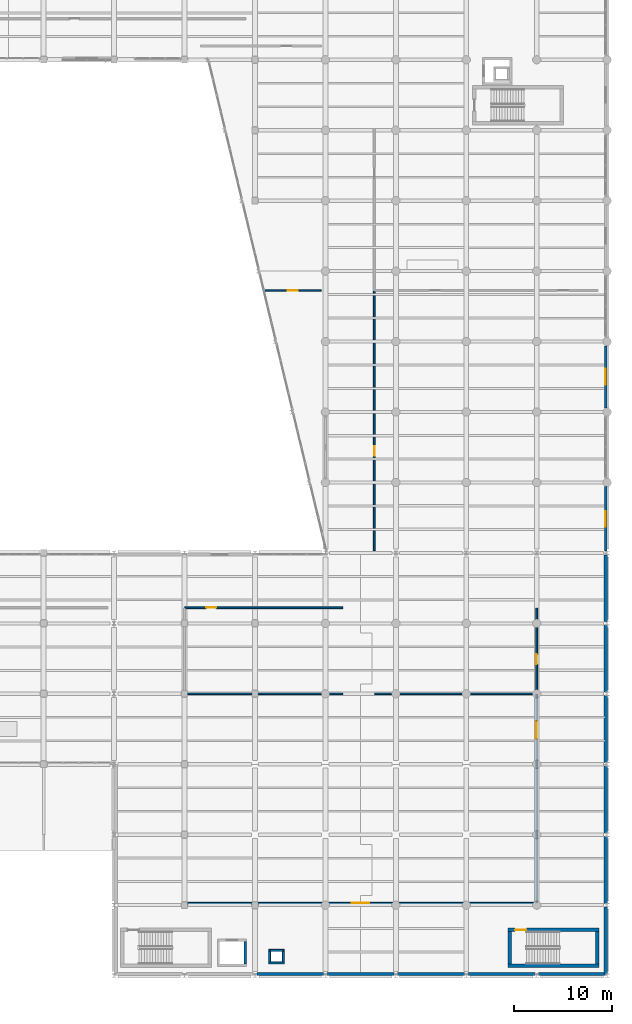
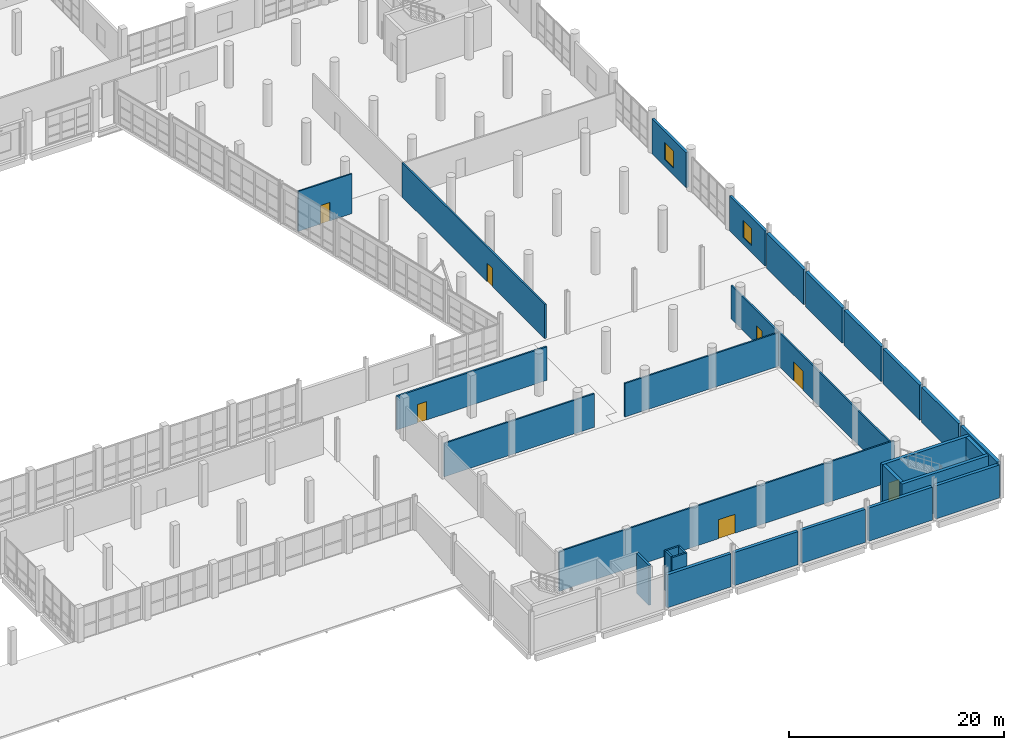
# One storey, part 100 of 127: 30 walls, 7 doors, 2 windows, 9 openings.
"""IFC4 building model written with IfcOpenShell, lengths in metres."""

from ifc_helpers import new_model, si_unit, direction, frame, frame_2d, origin, place, context, subcontext, project, spatial, rectangle, extrude, material, layer, layer_set, type_object, element, fill, save


model = new_model("IFC4")

# Units and contexts
model_context = context("Model", 3, precision=1e-05, world=origin(), true_north=direction((0.0, 1.0)))
body_context = subcontext(model_context, "Body", "Model", "MODEL_VIEW")
ifc_project = project(units=[si_unit("LENGTHUNIT", "METRE"), si_unit("AREAUNIT", "SQUARE_METRE"), si_unit("VOLUMEUNIT", "CUBIC_METRE"), si_unit("PLANEANGLEUNIT", "RADIAN"), si_unit("MASSUNIT", "GRAM", prefix="KILO")], contexts=[model_context])

# Site, building, storey
site_placement = place(None, origin())
site = spatial("IfcSite", under=ifc_project, at=site_placement, CompositionType="ELEMENT")
building_placement = place(site_placement, origin())
building = spatial("IfcBuilding", under=site, at=building_placement, Name="Kalmorath City Hall", CompositionType="ELEMENT")
storey_placement = place(building_placement, frame((0.0, 0.0, 5.39990234375)))
storey = spatial("IfcBuildingStorey", under=building, at=storey_placement, Name="L01", CompositionType="ELEMENT", Elevation=5.39990234375)

# Walls
ifc_material_1 = material(Name="Precast concrete C40/50", Category="concrete")
ifc_layer_1 = layer(ifc_material_1, 0.340087890625)
ifc_layer_set_1 = layer_set([ifc_layer_1], Name="Precast concrete C40/50")
wall_type_1 = type_object("IfcWallType", Name="Chamber acoustic precast wall 340", PredefinedType="SOLIDWALL", material=ifc_layer_set_1)
for number, where, z_axis, x_axis, name in (
    (1, (165.43994140625, 43.012939453125, 0.0), (0.0, 0.0, 1.0), (0.0, -1.0, 0.0), "L01 chamber acoustic wall #270"),
    (2, (165.43994140625, 35.81298828125, 0.0), (0.0, 0.0, 1.0), (0.0, -1.0, 0.0), "L01 chamber acoustic wall #271"),
    (3, (165.43994140625, 28.613037109375, 0.0), (0.0, 0.0, 1.0), (0.0, -1.0, 0.0), "L01 chamber acoustic wall #272"),
):
    element("IfcWall", number, at=place(storey_placement, frame(where, z_axis=z_axis, x_axis=x_axis)), inside=storey, type_object=wall_type_1, Name=name, PredefinedType="SOLIDWALL", context=body_context, shape_type="SweptSolid", body=[
        extrude(rectangle(XDim=6.825927734375, YDim=0.340087890625, at=frame_2d((3.4130859375, 0.0))), origin(), (0.0, 0.0, 1.0), 3.97607421875),
    ])
wall_1_placement = place(storey_placement, frame((165.43994140625, 21.4130859375, 0.0), z_axis=(0.0, 0.0, 1.0), x_axis=(0.0, -1.0, 0.0)))
element("IfcWall", 4, at=wall_1_placement, inside=storey, type_object=wall_type_1, Name="L01 chamber acoustic wall #273", PredefinedType="SOLIDWALL", context=body_context, shape_type="SweptSolid", body=[
    extrude(rectangle(XDim=6.826171875, YDim=0.340087890625, at=frame_2d((3.4130859375, 0.0))), origin(), (0.0, 0.0, 1.0), 3.97607421875),
])
for number, where, z_axis, x_axis, name in (
    (5, (165.43994140625, 14.212890625, 0.0), (0.0, 0.0, 1.0), (0.0, -1.0, 0.0), "L01 chamber acoustic wall #274"),
    (6, (165.43994140625, 7.012939453125, 0.0), (0.0, 0.0, 1.0), (0.0, -1.0, 0.0), "L01 chamber acoustic wall #275"),
):
    element("IfcWall", number, at=place(storey_placement, frame(where, z_axis=z_axis, x_axis=x_axis)), inside=storey, type_object=wall_type_1, Name=name, PredefinedType="SOLIDWALL", context=body_context, shape_type="SweptSolid", body=[
        extrude(rectangle(XDim=6.825927734375, YDim=0.340087890625, at=frame_2d((3.4130859375, 0.0))), origin(), (0.0, 0.0, 1.0), 3.97607421875),
    ])
wall_2_placement = place(storey_placement, frame((165.412109375, 0.159912109375, 0.0), z_axis=(0.0, 0.0, 1.0), x_axis=(-1.0, 0.0, 0.0)))
element("IfcWall", 7, at=wall_2_placement, inside=storey, type_object=wall_type_1, Name="L01 chamber acoustic wall #276", PredefinedType="SOLIDWALL", context=body_context, shape_type="SweptSolid", body=[
    extrude(rectangle(XDim=6.82421875, YDim=0.340087890625, at=frame_2d((3.412109375, 0.0))), origin(), (0.0, 0.0, 1.0), 3.7509765625),
])
for number, where, z_axis, x_axis, name in (
    (8, (158.2119140625, 0.159912109375, 0.0), (0.0, 0.0, 1.0), (-1.0, 0.0, 0.0), "L01 chamber acoustic wall #277"),
    (9, (151.011962890625, 0.159912109375, 0.0), (0.0, 0.0, 1.0), (-1.0, 0.0, 0.0), "L01 chamber acoustic wall #278"),
    (10, (143.81201171875, 0.159912109375, 0.0), (0.0, 0.0, 1.0), (-1.0, 0.0, 0.0), "L01 chamber acoustic wall #279"),
    (11, (136.612060546875, 0.159912109375, 0.0), (0.0, 0.0, 1.0), (-1.0, 0.0, 0.0), "L01 chamber acoustic wall #280"),
):
    element("IfcWall", number, at=place(storey_placement, frame(where, z_axis=z_axis, x_axis=x_axis)), inside=storey, type_object=wall_type_1, Name=name, PredefinedType="SOLIDWALL", context=body_context, shape_type="SweptSolid", body=[
        extrude(rectangle(XDim=6.823974609375, YDim=0.340087890625, at=frame_2d((3.412109375, 0.0))), origin(), (0.0, 0.0, 1.0), 3.7509765625),
    ])

# Wall, opening, door
ifc_material_2 = material(Name="High-STC double-stud acoustic partition")
ifc_layer_2 = layer(ifc_material_2, 0.1650390625)
ifc_layer_set_2 = layer_set([ifc_layer_2], Name="High-STC double-stud acoustic partition")
wall_type_2 = type_object("IfcWallType", Name="Chamber and committee acoustic partition 165", PredefinedType="PARTITIONING", material=ifc_layer_set_2)
wall_3_placement = place(storey_placement, frame((122.43994140625, 7.39990234375, 0.0), z_axis=(0.0, 0.0, 1.0), x_axis=(1.0, 0.0, 0.0)))
wall_3 = element("IfcWall", 12, at=wall_3_placement, inside=storey, type_object=wall_type_2, Name="L01 interior partition PW3 #79", PredefinedType="PARTITIONING", context=body_context, shape_type="SweptSolid", body=[
    extrude(rectangle(XDim=35.920166015625, YDim=0.1650390625, at=frame_2d((17.9599609375, 0.0))), origin(), (0.0, 0.0, 1.0), 4.52001953125),
])
opening_1_placement = place(wall_3_placement, frame((17.06005859375, 0.0, 0.0)))
opening_1 = element("IfcOpeningElement", 13, at=opening_1_placement, cuts=wall_3, Name="Opening D-L01-164", PredefinedType="OPENING", context=body_context, shape_type="SweptSolid", body=[
    extrude(rectangle(XDim=1.800048828125, YDim=2.14990234375, at=frame_2d((0.89990234375, 1.074951171875))), frame((0.0, 0.092529296875, 0.0), z_axis=(0.0, -1.0, 0.0), x_axis=(1.0, 0.0, 0.0)), (0.0, 0.0, 1.0), 0.18505859375),
])
ifc_material_3 = material(Name="Acoustic hardwood fire door", Category="wood")
door_type_1 = type_object("IfcDoorType", Name="Assembly double acoustic fire door 1800x2150", OperationType="DOUBLE_DOOR_SINGLE_SWING", PredefinedType="DOOR", material=ifc_material_3)
door_1_placement = place(opening_1_placement, origin())
door_1 = element("IfcDoor", 14, at=door_1_placement, inside=storey, type_object=door_type_1, Name="L01 door D-L01-164", OperationType="DOUBLE_DOOR_SINGLE_SWING", OverallHeight=2.14990234375, OverallWidth=1.800048828125, PredefinedType="DOOR", context=body_context, shape_type="SweptSolid", body=[
    extrude(rectangle(XDim=1.800048828125, YDim=2.14990234375, at=frame_2d((0.89990234375, 1.074951171875))), frame((0.0, 0.02490234375, 0.0), z_axis=(0.0, -1.0, 0.0), x_axis=(1.0, 0.0, 0.0)), (0.0, 0.0, 1.0), 0.050048828125),
])
fill(opening_1, door_1)

wall_4_placement = place(storey_placement, frame((158.39990234375, 7.43994140625, 0.0), z_axis=(0.0, 0.0, 1.0), x_axis=(0.0, 1.0, 0.0)))
wall_4 = element("IfcWall", 15, at=wall_4_placement, inside=storey, type_object=wall_type_2, Name="L01 interior partition PW3 #82", PredefinedType="PARTITIONING", context=body_context, shape_type="SweptSolid", body=[
    extrude(rectangle(XDim=21.320068359375, YDim=0.1650390625, at=frame_2d((10.66015625, 0.0))), origin(), (0.0, 0.0, 1.0), 3.88916015625),
])
opening_2_placement = place(wall_4_placement, frame((16.764892578125, 0.0, 0.0)))
opening_2 = element("IfcOpeningElement", 16, at=opening_2_placement, cuts=wall_4, Name="Opening D-L01-165", PredefinedType="OPENING", context=body_context, shape_type="SweptSolid", body=[
    extrude(rectangle(XDim=1.800048828125, YDim=2.14990234375, at=frame_2d((0.89990234375, 1.074951171875))), frame((0.0, 0.092529296875, 0.0), z_axis=(0.0, -1.0, 0.0), x_axis=(1.0, 0.0, 0.0)), (0.0, 0.0, 1.0), 0.18505859375),
])
door_2_placement = place(opening_2_placement, origin())
door_2 = element("IfcDoor", 17, at=door_2_placement, inside=storey, type_object=door_type_1, Name="L01 door D-L01-165", OperationType="DOUBLE_DOOR_SINGLE_SWING", OverallHeight=2.14990234375, OverallWidth=1.800048828125, PredefinedType="DOOR", context=body_context, shape_type="SweptSolid", body=[
    extrude(rectangle(XDim=1.800048828125, YDim=2.14990234375, at=frame_2d((0.89990234375, 1.074951171875))), frame((0.0, 0.02490234375, 0.0), z_axis=(0.0, -1.0, 0.0), x_axis=(1.0, 0.0, 0.0)), (0.0, 0.0, 1.0), 0.050048828125),
])
fill(opening_2, door_2)

# Walls
wall_5_placement = place(storey_placement, frame((122.43994140625, 28.800048828125, 0.0), z_axis=(0.0, 0.0, 1.0), x_axis=(1.0, 0.0, 0.0)))
element("IfcWall", 18, at=wall_5_placement, inside=storey, type_object=wall_type_2, Name="L01 interior partition PW3 #92", PredefinedType="PARTITIONING", context=body_context, shape_type="SweptSolid", body=[
    extrude(rectangle(XDim=16.1201171875, YDim=0.1650390625, at=frame_2d((8.06005859375, 0.0))), origin(), (0.0, 0.0, 1.0), 3.801025390625),
])
wall_6_placement = place(storey_placement, frame((141.840087890625, 28.800048828125, 0.0), z_axis=(0.0, 0.0, 1.0), x_axis=(1.0, 0.0, 0.0)))
element("IfcWall", 19, at=wall_6_placement, inside=storey, type_object=wall_type_2, Name="L01 interior partition PW3 #93", PredefinedType="PARTITIONING", context=body_context, shape_type="SweptSolid", body=[
    extrude(rectangle(XDim=16.52001953125, YDim=0.1650390625, at=frame_2d((8.260009765625, 0.0))), origin(), (0.0, 0.0, 1.0), 3.801025390625),
])
ifc_material_4 = material(Name="Concrete C50/60", Category="concrete")
ifc_layer_3 = layer(ifc_material_4, 0.35009765625)
ifc_layer_set_3 = layer_set([ifc_layer_3], Name="Concrete C50/60")
wall_type_3 = type_object("IfcWallType", Name="Concrete core shear wall 350", PredefinedType="SHEAR", material=ifc_layer_set_3)
wall_7_placement = place(storey_placement, frame((155.449951171875, 1.02490234375, 0.0), z_axis=(0.0, 0.0, 1.0), x_axis=(1.0, 0.0, 0.0)))
element("IfcWall", 20, at=wall_7_placement, inside=storey, type_object=wall_type_3, Name="L01 C7 stair core shear wall S", PredefinedType="SHEAR", context=body_context, shape_type="SweptSolid", body=[
    extrude(rectangle(XDim=9.300048828125, YDim=0.35009765625, at=frame_2d((4.64990234375, 0.0))), origin(), (0.0, 0.0, 1.0), 4.52001953125),
])

# Wall, opening, door
wall_8_placement = place(storey_placement, frame((164.75, 4.675048828125, 0.0), z_axis=(0.0, 0.0, 1.0), x_axis=(-1.0, 0.0, 0.0)))
wall_8 = element("IfcWall", 21, at=wall_8_placement, inside=storey, type_object=wall_type_3, Name="L01 C7 stair core shear wall N", PredefinedType="SHEAR", context=body_context, shape_type="SweptSolid", body=[
    extrude(rectangle(XDim=9.300048828125, YDim=0.35009765625, at=frame_2d((4.64990234375, 0.0))), origin(), (0.0, 0.0, 1.0), 4.52001953125),
])
opening_3_placement = place(wall_8_placement, frame((7.39990234375, 0.0, 0.0)))
opening_3 = element("IfcOpeningElement", 22, at=opening_3_placement, cuts=wall_8, Name="Opening D-L01-105", PredefinedType="OPENING", context=body_context, shape_type="SweptSolid", body=[
    extrude(rectangle(XDim=1.14990234375, YDim=2.10009765625, at=frame_2d((0.574951171875, 1.050048828125))), frame((0.0, 0.18505859375, 0.0), z_axis=(0.0, -1.0, 0.0), x_axis=(1.0, 0.0, 0.0)), (0.0, 0.0, 1.0), 0.3701171875),
])
ifc_material_5 = material(Name="Galvanised steel fire door", Category="steel")
door_type_2 = type_object("IfcDoorType", Name="Stair enclosure 90-min fire door 1150x2100", OperationType="NOTDEFINED", PredefinedType="DOOR", material=ifc_material_5)
door_3_placement = place(opening_3_placement, frame((1.14990234375, 0.0, 0.0), z_axis=(0.0, 0.0, 1.0), x_axis=(-1.0, 0.0, 0.0)))
door_3 = element("IfcDoor", 23, at=door_3_placement, inside=storey, type_object=door_type_2, Name="L01 door D-L01-105", OperationType="SINGLE_SWING_LEFT", OverallHeight=2.10009765625, OverallWidth=1.14990234375, PredefinedType="DOOR", context=body_context, shape_type="SweptSolid", body=[
    extrude(rectangle(XDim=1.14990234375, YDim=2.10009765625, at=frame_2d((0.574951171875, 1.050048828125))), frame((0.0, 0.02490234375, 0.0), z_axis=(0.0, -1.0, 0.0), x_axis=(1.0, 0.0, 0.0)), (0.0, 0.0, 1.0), 0.050048828125),
])
fill(opening_3, door_3)

# Walls
for number, where, z_axis, x_axis, name in (
    (24, (155.625, 4.5, 0.0), (0.0, 0.0, 1.0), (0.0, -1.0, 0.0), "L01 C7 stair core shear wall W"),
    (25, (164.574951171875, 1.199951171875, 0.0), (0.0, 0.0, 1.0), (0.0, 1.0, 0.0), "L01 C7 stair core shear wall E"),
):
    element("IfcWall", number, at=place(storey_placement, frame(where, z_axis=z_axis, x_axis=x_axis)), inside=storey, type_object=wall_type_3, Name=name, PredefinedType="SHEAR", context=body_context, shape_type="SweptSolid", body=[
        extrude(rectangle(XDim=3.300048828125, YDim=0.35009765625, at=frame_2d((1.64990234375, 0.0))), origin(), (0.0, 0.0, 1.0), 4.52001953125),
    ])
ifc_material_6 = material(Name="Concrete C50/60", Category="concrete")
ifc_layer_4 = layer(ifc_material_6, 0.25)
ifc_layer_set_4 = layer_set([ifc_layer_4], Name="Concrete C50/60")
wall_type_4 = type_object("IfcWallType", Name="Concrete lift shaft wall 250", PredefinedType="SHEAR", material=ifc_layer_set_4)
wall_9_placement = place(storey_placement, frame((128.625, 1.199951171875, 0.0), z_axis=(0.0, 0.0, 1.0), x_axis=(0.0, 1.0, 0.0)))
element("IfcWall", 26, at=wall_9_placement, inside=storey, type_object=wall_type_4, Name="L01 PL5 lift shaft wall +x", PredefinedType="SHEAR", context=body_context, shape_type="SweptSolid", body=[
    extrude(rectangle(XDim=2.300048828125, YDim=0.25, at=frame_2d((1.14990234375, 0.0))), origin(), (0.0, 0.0, 1.0), 4.52001953125),
])
ifc_material_7 = material(Name="Concrete C40/50", Category="concrete")
ifc_layer_5 = layer(ifc_material_7, 0.199951171875)
ifc_layer_set_5 = layer_set([ifc_layer_5], Name="Concrete C40/50")
wall_type_5 = type_object("IfcWallType", Name="Concrete service riser wall 200", PredefinedType="SOLIDWALL", material=ifc_layer_set_5)
for number, where, z_axis, x_axis, name in (
    (27, (131.0, 1.300048828125, 0.0), (0.0, 0.0, 1.0), (1.0, 0.0, 0.0), "L01 RSR-3 riser shaft wall S"),
    (28, (132.60009765625, 2.580078125, 0.0), (0.0, 0.0, 1.0), (-1.0, 0.0, 0.0), "L01 RSR-3 riser shaft wall N"),
):
    element("IfcWall", number, at=place(storey_placement, frame(where, z_axis=z_axis, x_axis=x_axis)), inside=storey, type_object=wall_type_5, Name=name, PredefinedType="SOLIDWALL", context=body_context, shape_type="SweptSolid", body=[
        extrude(rectangle(XDim=1.60009765625, YDim=0.199951171875, at=frame_2d((0.800048828125, 0.0))), origin(), (0.0, 0.0, 1.0), 4.52001953125),
    ])
for number, where, z_axis, x_axis, name in (
    (29, (131.10009765625, 2.47998046875, 0.0), (0.0, 0.0, 1.0), (0.0, -1.0, 0.0), "L01 RSR-3 riser shaft wall W"),
    (30, (132.5, 1.39990234375, 0.0), (0.0, 0.0, 1.0), (0.0, 1.0, 0.0), "L01 RSR-3 riser shaft wall E"),
):
    element("IfcWall", number, at=place(storey_placement, frame(where, z_axis=z_axis, x_axis=x_axis)), inside=storey, type_object=wall_type_5, Name=name, PredefinedType="SOLIDWALL", context=body_context, shape_type="SweptSolid", body=[
        extrude(rectangle(XDim=1.080078125, YDim=0.199951171875, at=frame_2d((0.5400390625, 0.0))), origin(), (0.0, 0.0, 1.0), 4.52001953125),
    ])

# Wall, opening, door
ifc_material_8 = material(Name="Acoustic metal-stud gypsum partition")
ifc_layer_6 = layer(ifc_material_8, 0.14990234375)
ifc_layer_set_6 = layer_set([ifc_layer_6], Name="Acoustic metal-stud gypsum partition")
wall_type_6 = type_object("IfcWallType", Name="Departmental suite partition 150", PredefinedType="PARTITIONING", material=ifc_layer_set_6)
wall_10_placement = place(storey_placement, frame((130.5908203125, 70.0, 0.0), z_axis=(0.0, 0.0, 1.0), x_axis=(1.0, 0.0, 0.0)))
wall_10 = element("IfcWall", 31, at=wall_10_placement, inside=storey, type_object=wall_type_6, Name="L01 interior partition PW4 #101", PredefinedType="PARTITIONING", context=body_context, shape_type="SweptSolid", body=[
    extrude(rectangle(XDim=5.769287109375, YDim=0.14990234375, at=frame_2d((2.884765625, 0.0))), origin(), (0.0, 0.0, 1.0), 4.52001953125),
])
opening_4_placement = place(wall_10_placement, frame((2.384521484375, 0.0, 0.0)))
opening_4 = element("IfcOpeningElement", 32, at=opening_4_placement, cuts=wall_10, Name="Opening D-L01-190", PredefinedType="OPENING", context=body_context, shape_type="SweptSolid", body=[
    extrude(rectangle(XDim=1.0, YDim=2.10009765625, at=frame_2d((0.5, 1.050048828125))), frame((0.0, 0.0849609375, 0.0), z_axis=(0.0, -1.0, 0.0), x_axis=(1.0, 0.0, 0.0)), (0.0, 0.0, 1.0), 0.169921875),
])
ifc_material_9 = material(Name="Hardwood fire door", Category="wood")
door_type_3 = type_object("IfcDoorType", Name="Corridor 60-min fire door 1000x2100", OperationType="NOTDEFINED", PredefinedType="DOOR", material=ifc_material_9)
door_4_placement = place(opening_4_placement, origin())
door_4 = element("IfcDoor", 33, at=door_4_placement, inside=storey, type_object=door_type_3, Name="L01 door D-L01-190", OperationType="SINGLE_SWING_RIGHT", OverallHeight=2.10009765625, OverallWidth=1.0, PredefinedType="DOOR", context=body_context, shape_type="SweptSolid", body=[
    extrude(rectangle(XDim=1.0, YDim=2.10009765625, at=frame_2d((0.5, 1.050048828125))), frame((0.0, 0.02490234375, 0.0), z_axis=(0.0, -1.0, 0.0), x_axis=(1.0, 0.0, 0.0)), (0.0, 0.0, 1.0), 0.050048828125),
])
fill(opening_4, door_4)

# Wall, opening, window
ifc_material_10 = material(Name="Precast concrete C40/50", Category="concrete")
ifc_layer_7 = layer(ifc_material_10, 0.27001953125)
ifc_layer_set_7 = layer_set([ifc_layer_7], Name="Precast concrete C40/50")
wall_type_7 = type_object("IfcWallType", Name="Library splayed facade wall 270", PredefinedType="SOLIDWALL", material=ifc_layer_set_7)
wall_11_placement = place(storey_placement, frame((165.43994140625, 64.3740234375, 0.0), z_axis=(0.0, 0.0, 1.0), x_axis=(0.0, -1.0, 0.0)))
wall_11 = element("IfcWall", 34, at=wall_11_placement, inside=storey, type_object=wall_type_7, Name="L01 library wall #268", PredefinedType="SOLIDWALL", context=body_context, shape_type="SweptSolid", body=[
    extrude(rectangle(XDim=6.34814453125, YDim=0.27001953125, at=frame_2d((3.174072265625, 0.0))), origin(), (0.0, 0.0, 1.0), 3.97607421875),
])
opening_5_placement = place(wall_11_placement, frame((2.3740234375, 0.0, 0.800048828125)))
opening_5 = element("IfcOpeningElement", 35, at=opening_5_placement, cuts=wall_11, Name="Opening WN15", PredefinedType="OPENING", context=body_context, shape_type="SweptSolid", body=[
    extrude(rectangle(XDim=1.60009765625, YDim=1.949951171875, at=frame_2d((0.800048828125, 0.97509765625))), frame((0.0, 0.14501953125, 0.0), z_axis=(0.0, -1.0, 0.0), x_axis=(1.0, 0.0, 0.0)), (0.0, 0.0, 1.0), 0.2900390625),
])
ifc_material_11 = material(Name="Bronze-anodised aluminium and glass", Category="aluminium")
window_type = type_object("IfcWindowType", Name="Library stacks window 1600x1950", PartitioningType="SINGLE_PANEL", PredefinedType="WINDOW", material=ifc_material_11)
window_1_placement = place(opening_5_placement, origin())
window_1 = element("IfcWindow", 36, at=window_1_placement, inside=storey, type_object=window_type, Name="L01 window WN15-135", OverallHeight=1.949951171875, OverallWidth=1.60009765625, PartitioningType="SINGLE_PANEL", PredefinedType="WINDOW", context=body_context, shape_type="SweptSolid", body=[
    extrude(rectangle(XDim=1.60009765625, YDim=1.949951171875, at=frame_2d((0.800048828125, 0.97509765625))), frame((0.0, 0.030029296875, 0.0), z_axis=(0.0, -1.0, 0.0), x_axis=(1.0, 0.0, 0.0)), (0.0, 0.0, 1.0), 0.06005859375),
])
fill(opening_5, window_1)

wall_12_placement = place(storey_placement, frame((165.43994140625, 49.97412109375, 0.0), z_axis=(0.0, 0.0, 1.0), x_axis=(0.0, -1.0, 0.0)))
wall_12 = element("IfcWall", 37, at=wall_12_placement, inside=storey, type_object=wall_type_7, Name="L01 library wall #269", PredefinedType="SOLIDWALL", context=body_context, shape_type="SweptSolid", body=[
    extrude(rectangle(XDim=6.587158203125, YDim=0.27001953125, at=frame_2d((3.29345703125, 0.0))), origin(), (0.0, 0.0, 1.0), 3.97607421875),
])
opening_6_placement = place(wall_12_placement, frame((2.493408203125, 0.0, 0.800048828125)))
opening_6 = element("IfcOpeningElement", 38, at=opening_6_placement, cuts=wall_12, Name="Opening WN15", PredefinedType="OPENING", context=body_context, shape_type="SweptSolid", body=[
    extrude(rectangle(XDim=1.60009765625, YDim=1.949951171875, at=frame_2d((0.800048828125, 0.97509765625))), frame((0.0, 0.14501953125, 0.0), z_axis=(0.0, -1.0, 0.0), x_axis=(1.0, 0.0, 0.0)), (0.0, 0.0, 1.0), 0.2900390625),
])
window_2_placement = place(opening_6_placement, origin())
window_2 = element("IfcWindow", 39, at=window_2_placement, inside=storey, type_object=window_type, Name="L01 window WN15-136", OverallHeight=1.949951171875, OverallWidth=1.60009765625, PartitioningType="SINGLE_PANEL", PredefinedType="WINDOW", context=body_context, shape_type="SweptSolid", body=[
    extrude(rectangle(XDim=1.60009765625, YDim=1.949951171875, at=frame_2d((0.800048828125, 0.97509765625))), frame((0.0, 0.030029296875, 0.0), z_axis=(0.0, -1.0, 0.0), x_axis=(1.0, 0.0, 0.0)), (0.0, 0.0, 1.0), 0.06005859375),
])
fill(opening_6, window_2)

# Wall, opening, door
ifc_material_12 = material(Name="Fire-rated acoustic gypsum partition")
ifc_layer_8 = layer(ifc_material_12, 0.179931640625)
ifc_layer_set_8 = layer_set([ifc_layer_8], Name="Fire-rated acoustic gypsum partition")
wall_type_8 = type_object("IfcWallType", Name="One-hour corridor fire partition 180", PredefinedType="PARTITIONING", material=ifc_layer_set_8)
wall_13_placement = place(storey_placement, frame((122.43994140625, 37.60009765625, 0.0), z_axis=(0.0, 0.0, 1.0), x_axis=(1.0, 0.0, 0.0)))
wall_13 = element("IfcWall", 40, at=wall_13_placement, inside=storey, type_object=wall_type_8, Name="L01 interior partition PW2 #77", PredefinedType="PARTITIONING", context=body_context, shape_type="SweptSolid", body=[
    extrude(rectangle(XDim=16.1201171875, YDim=0.179931640625, at=frame_2d((8.06005859375, 0.0))), origin(), (0.0, 0.0, 1.0), 3.801025390625),
])
opening_7_placement = place(wall_13_placement, frame((2.205078125, 0.0, 0.0)))
opening_7 = element("IfcOpeningElement", 41, at=opening_7_placement, cuts=wall_13, Name="Opening D-L01-166", PredefinedType="OPENING", context=body_context, shape_type="SweptSolid", body=[
    extrude(rectangle(XDim=1.0, YDim=2.10009765625, at=frame_2d((0.5, 1.050048828125))), frame((0.0, 0.099853515625, 0.0), z_axis=(0.0, -1.0, 0.0), x_axis=(1.0, 0.0, 0.0)), (0.0, 0.0, 1.0), 0.199951171875),
])
door_5_placement = place(opening_7_placement, origin())
door_5 = element("IfcDoor", 42, at=door_5_placement, inside=storey, type_object=door_type_3, Name="L01 door D-L01-166", OperationType="SINGLE_SWING_RIGHT", OverallHeight=2.10009765625, OverallWidth=1.0, PredefinedType="DOOR", context=body_context, shape_type="SweptSolid", body=[
    extrude(rectangle(XDim=1.0, YDim=2.10009765625, at=frame_2d((0.5, 1.050048828125))), frame((0.0, 0.02490234375, 0.0), z_axis=(0.0, -1.0, 0.0), x_axis=(1.0, 0.0, 0.0)), (0.0, 0.0, 1.0), 0.050048828125),
])
fill(opening_7, door_5)

wall_14_placement = place(storey_placement, frame((158.39990234375, 28.840087890625, 0.0), z_axis=(0.0, 0.0, 1.0), x_axis=(0.0, 1.0, 0.0)))
wall_14 = element("IfcWall", 43, at=wall_14_placement, inside=storey, type_object=wall_type_8, Name="L01 interior partition PW2 #83", PredefinedType="PARTITIONING", context=body_context, shape_type="SweptSolid", body=[
    extrude(rectangle(XDim=8.719970703125, YDim=0.179931640625, at=frame_2d((4.35986328125, 0.0))), origin(), (0.0, 0.0, 1.0), 3.801025390625),
])
opening_8_placement = place(wall_14_placement, frame((3.0, 0.0, 0.0)))
opening_8 = element("IfcOpeningElement", 44, at=opening_8_placement, cuts=wall_14, Name="Opening D-L01-167", PredefinedType="OPENING", context=body_context, shape_type="SweptSolid", body=[
    extrude(rectangle(XDim=1.0, YDim=2.10009765625, at=frame_2d((0.5, 1.050048828125))), frame((0.0, 0.099853515625, 0.0), z_axis=(0.0, -1.0, 0.0), x_axis=(1.0, 0.0, 0.0)), (0.0, 0.0, 1.0), 0.199951171875),
])
door_6_placement = place(opening_8_placement, origin())
door_6 = element("IfcDoor", 45, at=door_6_placement, inside=storey, type_object=door_type_3, Name="L01 door D-L01-167", OperationType="SINGLE_SWING_LEFT", OverallHeight=2.10009765625, OverallWidth=1.0, PredefinedType="DOOR", context=body_context, shape_type="SweptSolid", body=[
    extrude(rectangle(XDim=1.0, YDim=2.10009765625, at=frame_2d((0.5, 1.050048828125))), frame((0.0, 0.02490234375, 0.0), z_axis=(0.0, -1.0, 0.0), x_axis=(1.0, 0.0, 0.0)), (0.0, 0.0, 1.0), 0.050048828125),
])
fill(opening_8, door_6)

wall_15_placement = place(storey_placement, frame((141.800048828125, 43.43994140625, 0.0), z_axis=(0.0, 0.0, 1.0), x_axis=(0.0, 1.0, 0.0)))
wall_15 = element("IfcWall", 46, at=wall_15_placement, inside=storey, type_object=wall_type_8, Name="L01 interior partition PW2 #90", PredefinedType="PARTITIONING", context=body_context, shape_type="SweptSolid", body=[
    extrude(rectangle(XDim=26.52001953125, YDim=0.179931640625, at=frame_2d((13.260009765625, 0.0))), origin(), (0.0, 0.0, 1.0), 3.88916015625),
])
opening_9_placement = place(wall_15_placement, frame((9.675048828125, 0.0, 0.0)))
opening_9 = element("IfcOpeningElement", 47, at=opening_9_placement, cuts=wall_15, Name="Opening D-L01-188", PredefinedType="OPENING", context=body_context, shape_type="SweptSolid", body=[
    extrude(rectangle(XDim=1.0, YDim=2.10009765625, at=frame_2d((0.5, 1.050048828125))), frame((0.0, 0.099853515625, 0.0), z_axis=(0.0, -1.0, 0.0), x_axis=(1.0, 0.0, 0.0)), (0.0, 0.0, 1.0), 0.199951171875),
])
door_7_placement = place(opening_9_placement, origin())
door_7 = element("IfcDoor", 48, at=door_7_placement, inside=storey, type_object=door_type_3, Name="L01 door D-L01-188", OperationType="SINGLE_SWING_RIGHT", OverallHeight=2.10009765625, OverallWidth=1.0, PredefinedType="DOOR", context=body_context, shape_type="SweptSolid", body=[
    extrude(rectangle(XDim=1.0, YDim=2.10009765625, at=frame_2d((0.5, 1.050048828125))), frame((0.0, 0.02490234375, 0.0), z_axis=(0.0, -1.0, 0.0), x_axis=(1.0, 0.0, 0.0)), (0.0, 0.0, 1.0), 0.050048828125),
])
fill(opening_9, door_7)

save(model, "model.ifc")
